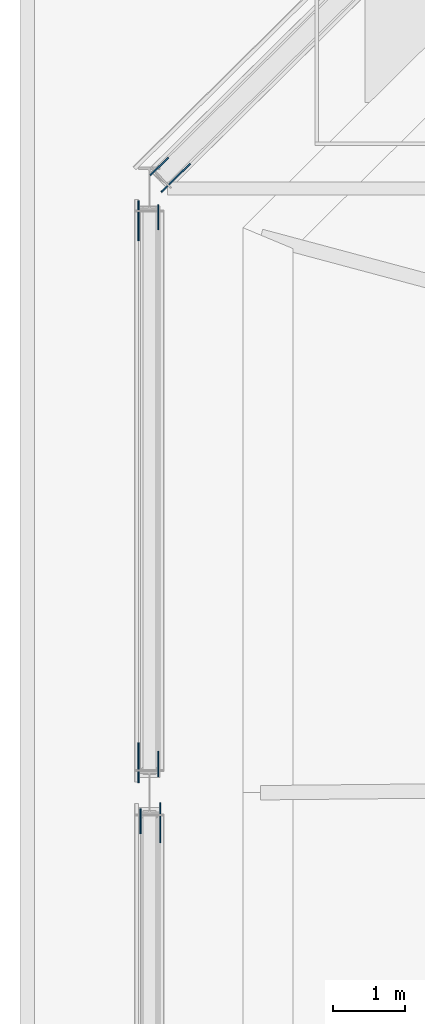
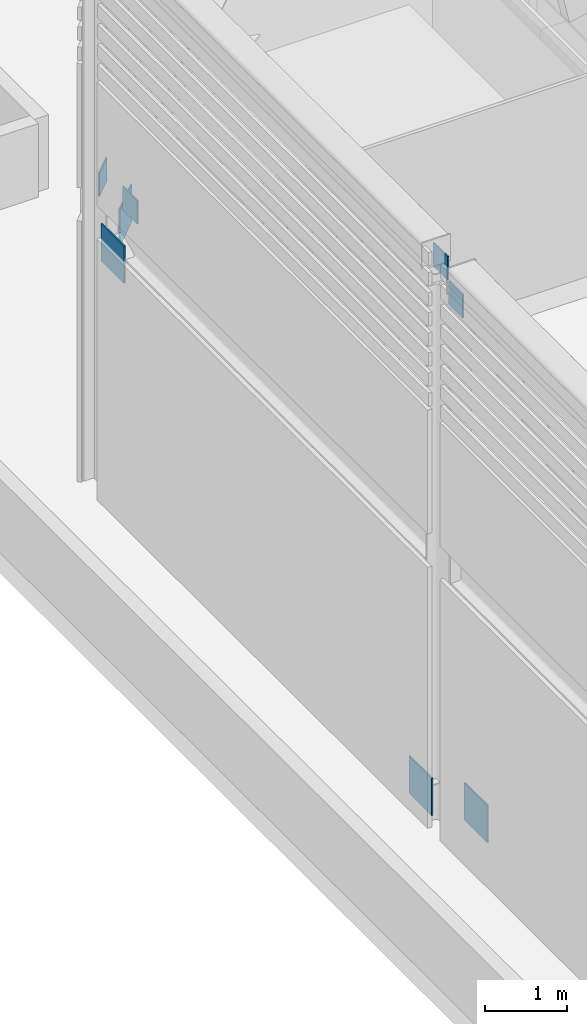
# One storey, part 16 of 22: 8 discrete accessories.
"""IFC4 building model written with IfcOpenShell, lengths in metres."""

from ifc_helpers import new_model, si_unit, direction, frame, origin, origin_2d, place, context, subcontext, project, spatial, rectangle, extrude, element, save


model = new_model("IFC4")

# Units and contexts
model_context = context("Model", 3, precision=1e-05, world=origin(), true_north=direction((0.0, 1.0)))
body_context = subcontext(model_context, "Body", "Model", "MODEL_VIEW")
ifc_project = project(units=[si_unit("LENGTHUNIT", "METRE"), si_unit("AREAUNIT", "SQUARE_METRE"), si_unit("VOLUMEUNIT", "CUBIC_METRE"), si_unit("PLANEANGLEUNIT", "RADIAN"), si_unit("MASSUNIT", "GRAM", prefix="KILO")], contexts=[model_context])

# Site, building, storey
site_placement = place(None, origin())
site = spatial("IfcSite", under=ifc_project, at=site_placement, CompositionType="ELEMENT")
building_placement = place(site_placement, origin())
building = spatial("IfcBuilding", under=site, at=building_placement, Name="Saffron Gate Tower", CompositionType="ELEMENT")
storey_placement = place(building_placement, frame((0.0, 0.0, 314.85009765625)))
storey = spatial("IfcBuildingStorey", under=building, at=storey_placement, Name="Roof crown", CompositionType="ELEMENT", Elevation=314.85009765625)

# Discrete accessories
discrete_accessory_1_placement = place(storey_placement, frame((58.565673828125, 65.55078125, 3.582763671875), z_axis=(0.0, 0.0, 1.0), x_axis=(-0.710901361809, -0.703291727364, 0.0)))
element("IfcDiscreteAccessory", 1, at=discrete_accessory_1_placement, inside=storey, Name="GUSSET PLATE", ObjectType="GUSSET PLATE", PredefinedType="USERDEFINED", context=body_context, shape_type="SweptSolid", body=[
    extrude(rectangle(XDim=0.56005859375, YDim=0.02001953125, at=origin_2d()), origin(), (0.0, 0.0, 1.0), 0.56005859375),
])
discrete_accessory_2_placement = place(storey_placement, frame((58.337646484375, 65.708251953125, 4.250244140625), z_axis=(0.0, 0.0, 1.0), x_axis=(0.710902589283, 0.703290486606, 0.0)))
element("IfcDiscreteAccessory", 2, at=discrete_accessory_2_placement, inside=storey, Name="GUSSET PLATE", ObjectType="GUSSET PLATE", PredefinedType="USERDEFINED", context=body_context, shape_type="SweptSolid", body=[
    extrude(rectangle(XDim=0.35009765625, YDim=0.02001953125, at=origin_2d()), origin(), (0.0, 0.0, 1.0), 0.35009765625),
])
for number, where, z_axis, x_axis, name in (
    (3, (58.050048828125, 57.417724609375, 0.17724609375), (0.0, 0.0, 1.0), (0.0, 1.0, 0.0), "GUSSET PLATE"),
    (4, (58.050048828125, 64.952392578125, 3.5625), (0.0, 0.0, 1.0), (0.0, 1.0, 0.0), "GUSSET PLATE"),
):
    element("IfcDiscreteAccessory", number, at=place(storey_placement, frame(where, z_axis=z_axis, x_axis=x_axis)), inside=storey, Name=name, ObjectType="GUSSET PLATE", PredefinedType="USERDEFINED", context=body_context, shape_type="SweptSolid", body=[
        extrude(rectangle(XDim=0.56005859375, YDim=0.02001953125, at=origin_2d()), origin(), (0.0, 0.0, 1.0), 0.56005859375),
    ])
for number, where, z_axis, x_axis, name in (
    (5, (58.322265625, 65.001708984375, 4.263671875), (0.0, 0.0, 1.0), (0.0, -1.0, 0.0), "GUSSET PLATE"),
    (6, (58.322265625, 57.3984375, 8.035888671875), (0.0, 0.0, 1.0), (0.0, -1.0, 0.0), "GUSSET PLATE"),
):
    element("IfcDiscreteAccessory", number, at=place(storey_placement, frame(where, z_axis=z_axis, x_axis=x_axis)), inside=storey, Name=name, ObjectType="GUSSET PLATE", PredefinedType="USERDEFINED", context=body_context, shape_type="SweptSolid", body=[
        extrude(rectangle(XDim=0.35009765625, YDim=0.02001953125, at=origin_2d()), origin(), (0.0, 0.0, 1.0), 0.35009765625),
    ])
discrete_accessory_3_placement = place(storey_placement, frame((58.35009765625, 56.582275390625, 0.17724609375), z_axis=(0.0, 0.0, 1.0), x_axis=(0.0, -1.0, 0.0)))
element("IfcDiscreteAccessory", 7, at=discrete_accessory_3_placement, inside=storey, Name="GUSSET PLATE", ObjectType="GUSSET PLATE", PredefinedType="USERDEFINED", context=body_context, shape_type="SweptSolid", body=[
    extrude(rectangle(XDim=0.56005859375, YDim=0.02001953125, at=origin_2d()), origin(), (0.0, 0.0, 1.0), 0.56005859375),
])
discrete_accessory_4_placement = place(storey_placement, frame((58.077880859375, 56.6015625, 8.035888671875), z_axis=(0.0, 0.0, 1.0), x_axis=(0.0, 1.0, 0.0)))
element("IfcDiscreteAccessory", 8, at=discrete_accessory_4_placement, inside=storey, Name="GUSSET PLATE", ObjectType="GUSSET PLATE", PredefinedType="USERDEFINED", context=body_context, shape_type="SweptSolid", body=[
    extrude(rectangle(XDim=0.35009765625, YDim=0.02001953125, at=origin_2d()), origin(), (0.0, 0.0, 1.0), 0.35009765625),
])

save(model, "model.ifc")
